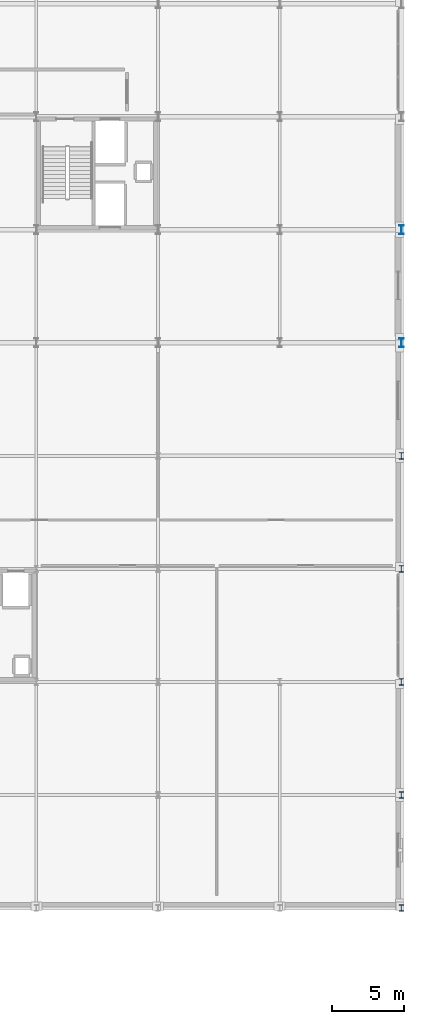
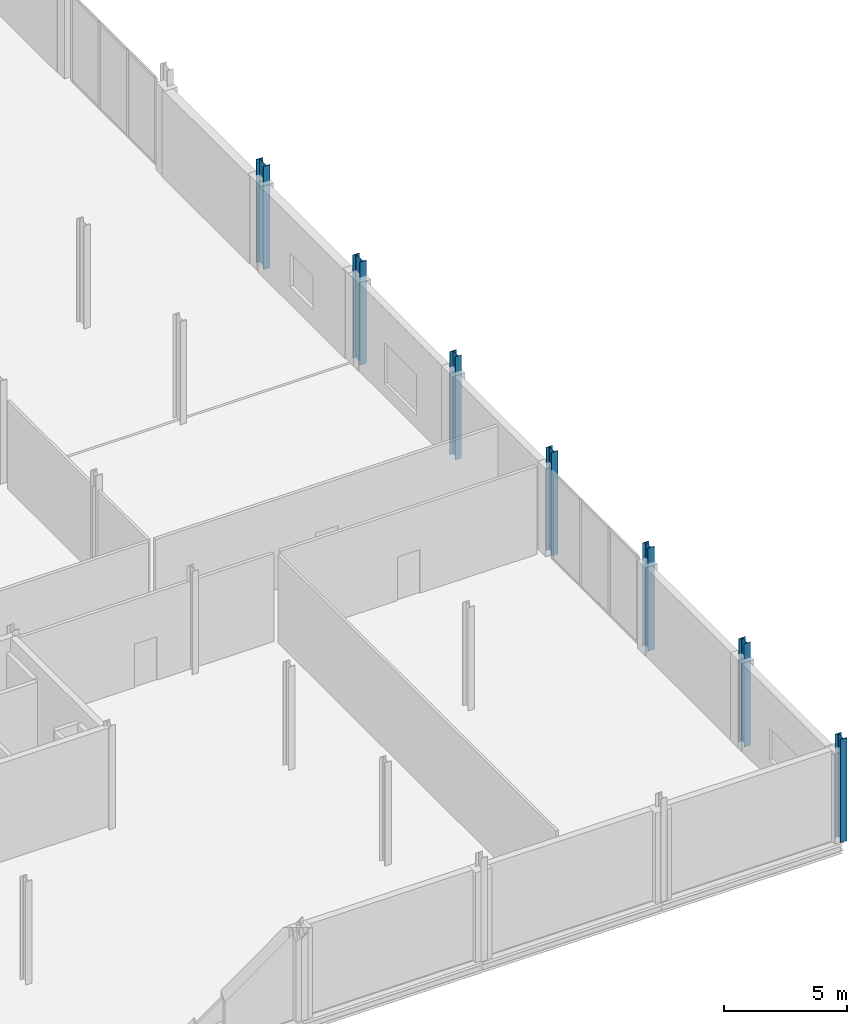
# One storey, part 19 of 105: 7 columns.
"""IFC4 building model written with IfcOpenShell, lengths in metres."""

from ifc_helpers import new_model, si_unit, direction, frame, origin, origin_2d, place, context, subcontext, project, spatial, i_section, extrude, material, material_profile, profile_set, type_object, element, save


model = new_model("IFC4")

# Units and contexts
model_context = context("Model", 3, precision=1e-05, world=origin(), true_north=direction((0.0, 1.0)))
body_context = subcontext(model_context, "Body", "Model", "MODEL_VIEW")
ifc_project = project(units=[si_unit("LENGTHUNIT", "METRE"), si_unit("AREAUNIT", "SQUARE_METRE"), si_unit("VOLUMEUNIT", "CUBIC_METRE"), si_unit("PLANEANGLEUNIT", "RADIAN"), si_unit("MASSUNIT", "GRAM", prefix="KILO")], contexts=[model_context])

# Site, building, storey
site_placement = place(None, origin())
site = spatial("IfcSite", under=ifc_project, at=site_placement, CompositionType="ELEMENT")
building_placement = place(site_placement, origin())
building = spatial("IfcBuilding", under=site, at=building_placement, Name="Nabrawat Pavilion Hospital", CompositionType="ELEMENT")
storey_placement = place(building_placement, frame((0.0, 0.0, 5.10009765625)))
storey = spatial("IfcBuildingStorey", under=building, at=storey_placement, Name="L01", CompositionType="ELEMENT", Elevation=5.10009765625)

# Columns
ifc_material = material(Name="Steel S355", Category="steel")
ifc_material_profile_1 = material_profile(ifc_material, i_section(OverallWidth=0.300048828125, OverallDepth=0.449951171875, WebThickness=0.013916015625, FlangeThickness=0.02587890625, FilletRadius=0.027099609375, at=origin_2d()), Name="HEB 450")
ifc_profile_set_1 = profile_set([ifc_material_profile_1], Name="Steel S355")
column_type_1 = type_object("IfcColumnType", Name="Composite Steel Column HEB 450", PredefinedType="COLUMN", material=ifc_profile_set_1)
for number, where, z_axis, x_axis, name in (
    (1, (193.199951171875, 0.0, 0.0), (0.0, 0.0, 1.0), (1.0, 0.0, 0.0), "L01 Structural Column G-24-A"),
    (2, (193.199951171875, 7.800048828125, 0.0), (0.0, 0.0, 1.0), (1.0, 0.0, 0.0), "L01 Structural Column G-24-B"),
    (3, (193.199951171875, 15.60009765625, 0.0), (0.0, 0.0, 1.0), (1.0, 0.0, 0.0), "L01 Structural Column G-24-C"),
    (4, (193.199951171875, 23.39990234375, 0.0), (0.0, 0.0, 1.0), (1.0, 0.0, 0.0), "L01 Structural Column G-24-D"),
    (5, (193.199951171875, 31.199951171875, 0.0), (0.0, 0.0, 1.0), (1.0, 0.0, 0.0), "L01 Structural Column G-24-E"),
):
    element("IfcColumn", number, at=place(storey_placement, frame(where, z_axis=z_axis, x_axis=x_axis)), inside=storey, type_object=column_type_1, Name=name, PredefinedType="COLUMN", context=body_context, shape_type="SweptSolid", body=[
        extrude(i_section(OverallWidth=0.300048828125, OverallDepth=0.449951171875, WebThickness=0.013916015625, FlangeThickness=0.02587890625, FilletRadius=0.027099609375, at=origin_2d()), origin(), (0.0, 0.0, 1.0), 5.099853515625),
    ])
ifc_material_profile_2 = material_profile(ifc_material, i_section(OverallWidth=0.300048828125, OverallDepth=0.60009765625, WebThickness=0.015380859375, FlangeThickness=0.030029296875, FilletRadius=0.027099609375, at=origin_2d()), Name="HEB 600")
ifc_profile_set_2 = profile_set([ifc_material_profile_2], Name="Steel S355")
column_type_2 = type_object("IfcColumnType", Name="Composite Steel Column HEB 600", PredefinedType="COLUMN", material=ifc_profile_set_2)
for number, where, z_axis, x_axis, name in (
    (6, (193.199951171875, 39.0, 0.0), (0.0, 0.0, 1.0), (1.0, 0.0, 0.0), "L01 Structural Column G-24-F1"),
    (7, (193.199951171875, 46.800048828125, 0.0), (0.0, 0.0, 1.0), (1.0, 0.0, 0.0), "L01 Structural Column G-24-G"),
):
    element("IfcColumn", number, at=place(storey_placement, frame(where, z_axis=z_axis, x_axis=x_axis)), inside=storey, type_object=column_type_2, Name=name, PredefinedType="COLUMN", context=body_context, shape_type="SweptSolid", body=[
        extrude(i_section(OverallWidth=0.300048828125, OverallDepth=0.60009765625, WebThickness=0.015380859375, FlangeThickness=0.030029296875, FilletRadius=0.027099609375, at=origin_2d()), origin(), (0.0, 0.0, 1.0), 5.099853515625),
    ])

save(model, "model.ifc")
